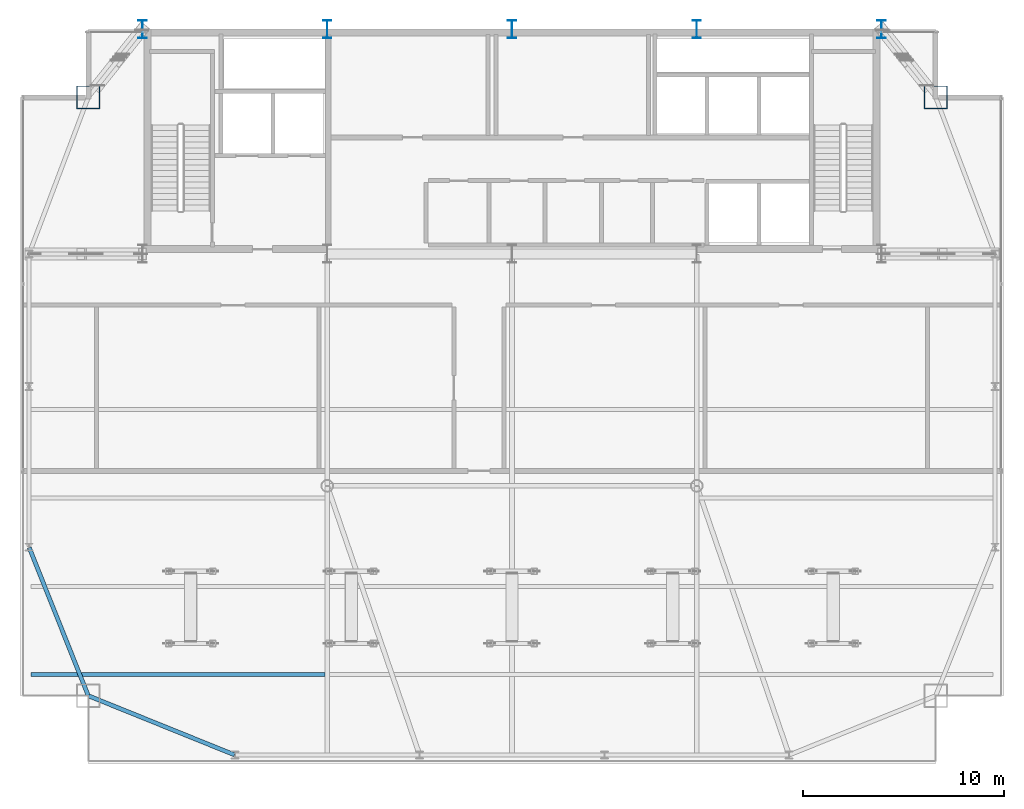
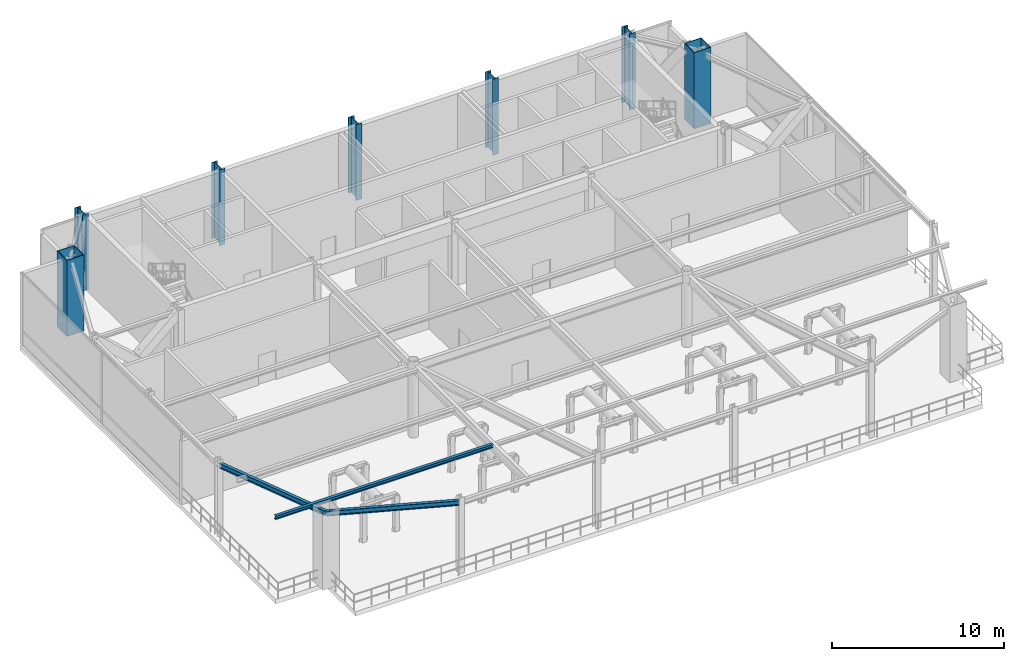
# One storey, part 3 of 21: 7 columns, 3 beams.
"""IFC4 building model written with IfcOpenShell, lengths in metres."""

from ifc_helpers import new_model, si_unit, direction, frame, origin, origin_2d, place, context, subcontext, project, spatial, hollow_rectangle, i_section, extrude, source, transform, mapped, material, material_profile, profile_set, type_object, type_shapes, element, save


model = new_model("IFC4")

# Units and contexts
model_context = context("Model", 3, precision=1e-05, world=origin(), true_north=direction((0.0, 1.0)))
body_context = subcontext(model_context, "Body", "Model", "MODEL_VIEW")
ifc_project = project(units=[si_unit("LENGTHUNIT", "METRE"), si_unit("AREAUNIT", "SQUARE_METRE"), si_unit("VOLUMEUNIT", "CUBIC_METRE"), si_unit("PLANEANGLEUNIT", "RADIAN"), si_unit("MASSUNIT", "GRAM", prefix="KILO")], contexts=[model_context])

# Site, building, storey
site_placement = place(None, origin())
site = spatial("IfcSite", under=ifc_project, at=site_placement, CompositionType="ELEMENT")
building_placement = place(site_placement, origin())
building = spatial("IfcBuilding", under=site, at=building_placement, Name="Varnel Quay Broadcast Tower", CompositionType="ELEMENT")
storey_placement = place(building_placement, frame((0.0, 0.0, 234.0)))
storey = spatial("IfcBuildingStorey", under=building, at=storey_placement, Name="L58", CompositionType="ELEMENT", Elevation=234.0)

# Columns
ifc_material_1 = material(Name="Structural Steel CSA G40.21 350WT", Category="steel")
ifc_material_profile_1 = material_profile(ifc_material_1, i_section(OverallWidth=0.39990234375, OverallDepth=0.89990234375, WebThickness=0.01611328125, FlangeThickness=0.028076171875, FilletRadius=0.01611328125, at=origin_2d()), Name="WWF900X309")
ifc_profile_set_1 = profile_set([ifc_material_profile_1], Name="Structural Steel CSA G40.21 350WT")
column_type_1 = type_object("IfcColumnType", Name="Col_WWF900X309", PredefinedType="COLUMN", material=ifc_profile_set_1)
shared_shape_1 = source(origin(), body_context, "Body", "SweptSolid", [
    extrude(i_section(OverallWidth=0.39990234375, OverallDepth=0.89990234375, WebThickness=0.01611328125, FlangeThickness=0.028076171875, FilletRadius=0.01611328125, at=origin_2d()), origin(), (0.0, 0.0, 1.0), 5.39990234375),
])
type_shapes(column_type_1, [shared_shape_1])
for number, where, z_axis, x_axis, name in (
    (1, (15.60009765625, 46.800048828125, 0.0), (0.0, 0.0, 1.0), (1.0, 0.0, 0.0), "L58 Column CC-N1"),
    (2, (24.800048828125, 46.800048828125, 0.0), (0.0, 0.0, 1.0), (1.0, 0.0, 0.0), "L58 Column CC-N2"),
    (3, (34.0, 46.800048828125, 0.0), (0.0, 0.0, 1.0), (1.0, 0.0, 0.0), "L58 Column CC-N3"),
    (4, (43.199951171875, 46.800048828125, 0.0), (0.0, 0.0, 1.0), (1.0, 0.0, 0.0), "L58 Column CC-N4"),
    (5, (52.39990234375, 46.800048828125, 0.0), (0.0, 0.0, 1.0), (1.0, 0.0, 0.0), "L58 Column CC-N5"),
):
    element("IfcColumn", number, at=place(storey_placement, frame(where, z_axis=z_axis, x_axis=x_axis)), inside=storey, type_object=column_type_1, Name=name, PredefinedType="COLUMN", context=body_context, shape_type="MappedRepresentation", body=[
        mapped(shared_shape_1, transform((0.0, 0.0, 0.0), x_axis=(1.0, 0.0, 0.0), y_axis=(0.0, 1.0, 0.0), z_axis=(0.0, 0.0, 1.0), scale=1.0)),
    ])
ifc_material_profile_2 = material_profile(ifc_material_1, hollow_rectangle(XDim=1.14990234375, YDim=1.14990234375, WallThickness=0.044921875, at=origin_2d()), Name="BOX1150X1150X45")
ifc_profile_set_2 = profile_set([ifc_material_profile_2], Name="Structural Steel CSA G40.21 350WT")
column_type_2 = type_object("IfcColumnType", Name="Col_BOX1150X1150X45", PredefinedType="COLUMN", material=ifc_profile_set_2)
shared_shape_2 = source(origin(), body_context, "Body", "SweptSolid", [
    extrude(hollow_rectangle(XDim=1.14990234375, YDim=1.14990234375, WallThickness=0.044921875, at=origin_2d()), origin(), (0.0, 0.0, 1.0), 5.39990234375),
])
type_shapes(column_type_2, [shared_shape_2])
for number, where, z_axis, x_axis, name in (
    (6, (55.10009765625, 43.39990234375, 0.0), (0.0, 0.0, 1.0), (1.0, 0.0, 0.0), "L58 Column MC-NE"),
    (7, (12.89990234375, 43.39990234375, 0.0), (0.0, 0.0, 1.0), (1.0, 0.0, 0.0), "L58 Column MC-NW"),
):
    element("IfcColumn", number, at=place(storey_placement, frame(where, z_axis=z_axis, x_axis=x_axis)), inside=storey, type_object=column_type_2, Name=name, PredefinedType="COLUMN", context=body_context, shape_type="MappedRepresentation", body=[
        mapped(shared_shape_2, transform((0.0, 0.0, 0.0), x_axis=(1.0, 0.0, 0.0), y_axis=(0.0, 1.0, 0.0), z_axis=(0.0, 0.0, 1.0), scale=1.0)),
    ])

# Beams
ifc_material_2 = material(Name="Structural Steel CSA G40.21 350W", Category="steel")
ifc_material_profile_3 = material_profile(ifc_material_2, i_section(OverallWidth=0.205078125, OverallDepth=0.35400390625, WebThickness=0.009521484375, FlangeThickness=0.016845703125, FilletRadius=0.012939453125, at=origin_2d()), Name="W360X79")
ifc_profile_set_3 = profile_set([ifc_material_profile_3], Name="Structural Steel CSA G40.21 350W")
beam_type_1 = type_object("IfcBeamType", Name="Beam_W360X79", PredefinedType="SPANDREL", material=ifc_profile_set_3)
shared_shape_3 = source(origin(), body_context, "Body", "SweptSolid", [
    extrude(i_section(OverallWidth=0.205078125, OverallDepth=0.35400390625, WebThickness=0.009521484375, FlangeThickness=0.016845703125, FilletRadius=0.012939453125, at=origin_2d()), origin(), (0.0, 0.0, 1.0), 7.83349609375),
])
beam_1_placement = place(storey_placement, frame((12.91845703125, 13.592529296875, 4.972900390625), z_axis=(0.927155449606, -0.374676890489, 0.0), x_axis=(0.374676890489, 0.927155449606, 0.0)))
element("IfcBeam", 8, at=beam_1_placement, inside=storey, type_object=beam_type_1, Name="L58 South Spandrel MC-SW-TC-S1", PredefinedType="SPANDREL", context=body_context, shape_type="MappedRepresentation", body=[
    mapped(shared_shape_3, transform((0.0, 0.0, 0.0), x_axis=(1.0, 0.0, 0.0), y_axis=(0.0, 1.0, 0.0), z_axis=(0.0, 0.0, 1.0), scale=1.0)),
])
shared_shape_4 = source(origin(), body_context, "Body", "SweptSolid", [
    extrude(i_section(OverallWidth=0.205078125, OverallDepth=0.35400390625, WebThickness=0.009521484375, FlangeThickness=0.016845703125, FilletRadius=0.012939453125, at=origin_2d()), origin(), (0.0, 0.0, 1.0), 7.92626953125),
])
type_shapes(beam_type_1, [shared_shape_3, shared_shape_4])
beam_2_placement = place(storey_placement, frame((12.892578125, 13.61865234375, 4.972900390625), z_axis=(-0.370296431883, 0.928913641053, 0.0), x_axis=(-0.928913641053, -0.370296431883, 0.0)))
element("IfcBeam", 9, at=beam_2_placement, inside=storey, type_object=beam_type_1, Name="L58 West Spandrel MC-SW-TC-W1", PredefinedType="SPANDREL", context=body_context, shape_type="MappedRepresentation", body=[
    mapped(shared_shape_4, transform((0.0, 0.0, 0.0), x_axis=(1.0, 0.0, 0.0), y_axis=(0.0, 1.0, 0.0), z_axis=(0.0, 0.0, 1.0), scale=1.0)),
])
ifc_material_profile_4 = material_profile(ifc_material_2, i_section(OverallWidth=0.201904296875, OverallDepth=0.2470703125, WebThickness=0.00732421875, FlangeThickness=0.010986328125, FilletRadius=0.010986328125, at=origin_2d()), Name="W250X49")
ifc_profile_set_4 = profile_set([ifc_material_profile_4], Name="Structural Steel CSA G40.21 350W")
beam_type_2 = type_object("IfcBeamType", Name="Beam_W250X49", PredefinedType="JOIST", material=ifc_profile_set_4)
shared_shape_5 = source(origin(), body_context, "Body", "SweptSolid", [
    extrude(i_section(OverallWidth=0.201904296875, OverallDepth=0.2470703125, WebThickness=0.00732421875, FlangeThickness=0.010986328125, FilletRadius=0.010986328125, at=origin_2d()), origin(), (0.0, 0.0, 1.0), 14.642333984375),
])
type_shapes(beam_type_2, [shared_shape_5])
beam_3_placement = place(storey_placement, frame((10.047607421875, 14.64990234375, 5.026611328125), z_axis=(1.0, 0.0, 0.0), x_axis=(0.0, 1.0, 0.0)))
element("IfcBeam", 10, at=beam_3_placement, inside=storey, type_object=beam_type_2, Name="L58 West Floor Joist 1", PredefinedType="JOIST", context=body_context, shape_type="MappedRepresentation", body=[
    mapped(shared_shape_5, transform((0.0, 0.0, 0.0), x_axis=(1.0, 0.0, 0.0), y_axis=(0.0, 1.0, 0.0), z_axis=(0.0, 0.0, 1.0), scale=1.0)),
])

save(model, "model.ifc")
